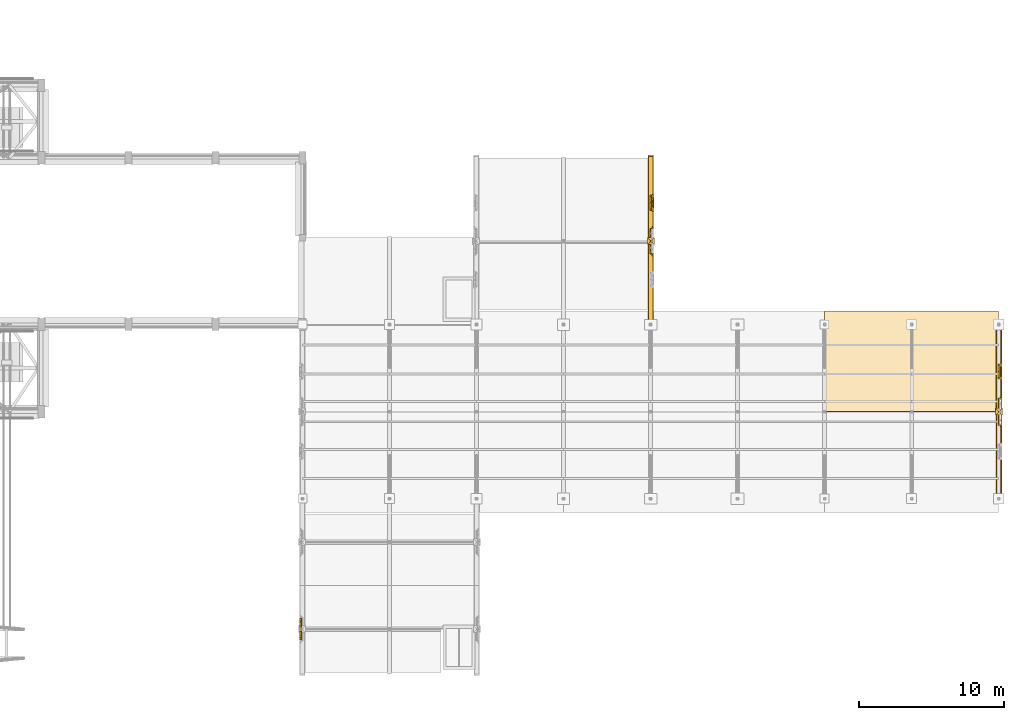
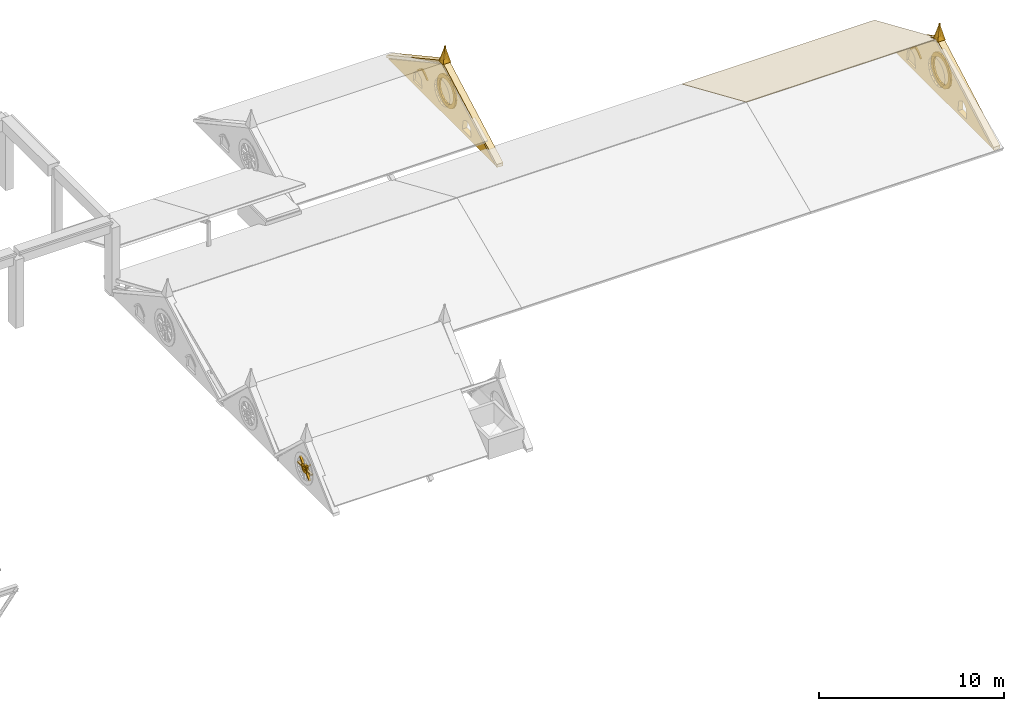
# One storey, part 57 of 59: 27 coverings.
"""IFC4 building model written with IfcOpenShell, lengths in metres."""

from ifc_helpers import new_model, si_unit, direction, frame, origin, place, context, subcontext, project, spatial, polyline, outline, extrude, material, type_object, element, save


model = new_model("IFC4")

# Units and contexts
model_context = context("Model", 3, precision=1e-05, world=origin(), true_north=direction((0.0, 1.0)))
body_context = subcontext(model_context, "Body", "Model", "MODEL_VIEW")
ifc_project = project(units=[si_unit("LENGTHUNIT", "METRE"), si_unit("AREAUNIT", "SQUARE_METRE"), si_unit("VOLUMEUNIT", "CUBIC_METRE"), si_unit("PLANEANGLEUNIT", "RADIAN"), si_unit("MASSUNIT", "GRAM", prefix="KILO")], contexts=[model_context])

# Site, building, storey
site_placement = place(None, origin())
site = spatial("IfcSite", under=ifc_project, at=site_placement, CompositionType="ELEMENT")
building_placement = place(site_placement, origin())
building = spatial("IfcBuilding", under=site, at=building_placement, Name="Cumevento Cable Car Station", CompositionType="ELEMENT")
storey_placement = place(building_placement, frame((0.0, 0.0, 18.0)))
storey = spatial("IfcBuildingStorey", under=building, at=storey_placement, Name="L05", CompositionType="ELEMENT", Elevation=18.0)

# Coverings
ifc_material_1 = material(Name="Standing-Seam Zinc-Titanium Roof Sheet", Category="steel")
covering_type_1 = type_object("IfcCoveringType", Name="Standing-Seam Zinc Roofing CV-RF01", PredefinedType="ROOFING", material=ifc_material_1)
covering_1_placement = place(storey_placement, frame((154.0, 38.9951171875, 3.517578125), z_axis=(0.0, 0.398735528577, 0.917065961777), x_axis=(1.0, 0.0, 0.0)))
element("IfcCovering", 1, at=covering_1_placement, inside=storey, type_object=covering_type_1, Name="Standing-Seam Zinc Roof Covering #18", PredefinedType="ROOFING", context=body_context, shape_type="SweptSolid", body=[
    extrude(outline(polyline([(0.0, 0.0), (12.0, 0.0), (12.0, 7.583788161646252), (0.0, 7.583788161646252), (0.0, 0.0)])), origin(), (0.0, 0.0, -1.0), 0.02587890625),
])
ifc_material_2 = material(Name="Gnaisse Facoidal Stone Ashlar 85 MPa", Category="masonry")
covering_type_2 = type_object("IfcCoveringType", Name="Gnaisse Ashlar Cladding CV-CL01", PredefinedType="CLADDING", material=ifc_material_2)
placement_1 = place(storey_placement, frame((166.0, 45.0, 0.0), z_axis=(0.0, 0.0, 1.0), x_axis=(0.0, -1.0, 0.0)))
element("IfcCovering", 2, at=placement_1, inside=storey, type_object=covering_type_2, Name="Gothic Stone Gable Tympanum depot_garage_E", PredefinedType="CLADDING", context=body_context, shape_type="SweptSolid", body=[
    extrude(outline(polyline([(-0.080078125, -0.06005859375), (12.080078125, -0.06005859375), (6.0, 3.360107421875), (-0.080078125, -0.06005859375)]), holes=[polyline([(6.885498046875, 1.3447265625), (6.818115234375, 1.68359375), (6.626220703125, 1.970947265625), (6.3388671875, 2.1630859375), (6.0, 2.23046875), (5.6611328125, 2.1630859375), (5.373779296875, 1.970947265625), (5.181884765625, 1.68359375), (5.114501953125, 1.3447265625), (5.181884765625, 1.005859375), (5.373779296875, 0.718505859375), (5.6611328125, 0.526611328125), (6.0, 0.459228515625), (6.3388671875, 0.526611328125), (6.626220703125, 0.718505859375), (6.818115234375, 1.005859375), (6.885498046875, 1.3447265625)]), polyline([(2.764892578125, 0.179931640625), (3.715087890625, 0.179931640625), (3.6376953125, 0.84130859375), (3.55029296875, 0.9228515625), (3.453857421875, 0.993896484375), (3.35009765625, 1.052978515625), (3.239990234375, 1.099609375), (3.1298828125, 1.052978515625), (3.026123046875, 0.993896484375), (2.9296875, 0.9228515625), (2.84228515625, 0.84130859375), (2.764892578125, 0.179931640625)]), polyline([(8.284912109375, 0.179931640625), (9.235107421875, 0.179931640625), (9.15771484375, 0.84130859375), (9.0703125, 0.9228515625), (8.97412109375, 0.993896484375), (8.8701171875, 1.052978515625), (8.760009765625, 1.099609375), (8.64990234375, 1.052978515625), (8.5458984375, 0.993896484375), (8.44970703125, 0.9228515625), (8.3623046875, 0.84130859375), (8.284912109375, 0.179931640625)])]), frame((0.0, 0.159912109375, 0.0), z_axis=(0.0, -1.0, 0.0), x_axis=(1.0, 0.0, 0.0)), (0.0, 0.0, 1.0), 0.300048828125),
])
element("IfcCovering", 3, at=placement_1, inside=storey, type_object=covering_type_2, Name="Gothic Gable Recessed Tracery Backing depot_garage_E rose", PredefinedType="CLADDING", context=body_context, shape_type="SweptSolid", body=[
    extrude(outline(polyline([(6.925537109375, 1.3447265625), (6.855224609375, 1.698974609375), (6.654541015625, 1.999267578125), (6.354248046875, 2.199951171875), (6.0, 2.2705078125), (5.645751953125, 2.199951171875), (5.345458984375, 1.999267578125), (5.144775390625, 1.698974609375), (5.074462890625, 1.3447265625), (5.144775390625, 0.990478515625), (5.345458984375, 0.690185546875), (5.645751953125, 0.48974609375), (6.0, 0.419189453125), (6.354248046875, 0.48974609375), (6.654541015625, 0.690185546875), (6.855224609375, 0.990478515625), (6.925537109375, 1.3447265625)])), frame((0.0, 0.050048828125, 0.0), z_axis=(0.0, -1.0, 0.0), x_axis=(1.0, 0.0, 0.0)), (0.0, 0.0, 1.0), 0.074951171875),
])
element("IfcCovering", 4, at=placement_1, inside=storey, type_object=covering_type_2, Name="Gothic Gable Recessed Tracery Backing depot_garage_E lancet_0", PredefinedType="CLADDING", context=body_context, shape_type="SweptSolid", body=[
    extrude(outline(polyline([(2.735107421875, 0.14990234375), (3.7451171875, 0.14990234375), (3.66259765625, 0.847412109375), (3.569580078125, 0.933349609375), (3.467041015625, 1.008056640625), (3.356689453125, 1.070556640625), (3.239990234375, 1.11962890625), (3.123291015625, 1.070556640625), (3.012939453125, 1.008056640625), (2.910400390625, 0.933349609375), (2.8173828125, 0.847412109375), (2.735107421875, 0.14990234375)])), frame((0.0, 0.050048828125, 0.0), z_axis=(0.0, -1.0, 0.0), x_axis=(1.0, 0.0, 0.0)), (0.0, 0.0, 1.0), 0.074951171875),
])
element("IfcCovering", 5, at=placement_1, inside=storey, type_object=covering_type_2, Name="Gothic 16-Sided Stone Rose Window Ring depot_garage_E", PredefinedType="CLADDING", context=body_context, shape_type="SweptSolid", body=[
    extrude(outline(polyline([(7.065673828125, 1.3447265625), (6.984375, 1.752685546875), (6.75341796875, 2.098388671875), (6.40771484375, 2.329345703125), (6.0, 2.410400390625), (5.59228515625, 2.329345703125), (5.24658203125, 2.098388671875), (5.015625, 1.752685546875), (4.934326171875, 1.3447265625), (5.015625, 0.93701171875), (5.24658203125, 0.59130859375), (5.59228515625, 0.3603515625), (6.0, 0.279296875), (6.40771484375, 0.3603515625), (6.75341796875, 0.59130859375), (6.984375, 0.93701171875), (7.065673828125, 1.3447265625)]), holes=[polyline([(6.815673828125, 1.3447265625), (6.75341796875, 1.656982421875), (6.57666015625, 1.921630859375), (6.31201171875, 2.098388671875), (6.0, 2.160400390625), (5.68798828125, 2.098388671875), (5.42333984375, 1.921630859375), (5.24658203125, 1.656982421875), (5.184326171875, 1.3447265625), (5.24658203125, 1.03271484375), (5.42333984375, 0.76806640625), (5.68798828125, 0.59130859375), (6.0, 0.529296875), (6.31201171875, 0.59130859375), (6.57666015625, 0.76806640625), (6.75341796875, 1.03271484375), (6.815673828125, 1.3447265625)])]), frame((0.0, 0.215087890625, 0.0), z_axis=(0.0, -1.0, 0.0), x_axis=(1.0, 0.0, 0.0)), (0.0, 0.0, 1.0), 0.110107421875),
])
element("IfcCovering", 6, at=placement_1, inside=storey, type_object=covering_type_2, Name="Gable Lancet Stone Hood Moulding depot_garage_E #1", PredefinedType="CLADDING", context=body_context, shape_type="SweptSolid", body=[
    extrude(outline(polyline([(2.764892578125, 0.750244140625), (2.84228515625, 0.84130859375), (2.9296875, 0.9228515625), (3.026123046875, 0.993896484375), (3.1298828125, 1.052978515625), (3.239990234375, 1.099609375), (3.35009765625, 1.052978515625), (3.453857421875, 0.993896484375), (3.55029296875, 0.9228515625), (3.6376953125, 0.84130859375), (3.715087890625, 0.750244140625), (3.804931640625, 0.750244140625), (3.718017578125, 0.87158203125), (3.6162109375, 0.980712890625), (3.501220703125, 1.076171875), (3.375244140625, 1.15625), (3.239990234375, 1.219482421875), (3.104736328125, 1.15625), (2.978759765625, 1.076171875), (2.86376953125, 0.980712890625), (2.761962890625, 0.87158203125), (2.675048828125, 0.750244140625), (2.764892578125, 0.750244140625)])), frame((0.0, 0.205078125, 0.0), z_axis=(0.0, -1.0, 0.0), x_axis=(1.0, 0.0, 0.0)), (0.0, 0.0, 1.0), 0.090087890625),
])
element("IfcCovering", 7, at=placement_1, inside=storey, type_object=covering_type_2, Name="Raking Gothic Stone Gable Coping depot_garage_E", PredefinedType="CLADDING", context=body_context, shape_type="SweptSolid", body=[
    extrude(outline(polyline([(-0.199951171875, -0.06005859375), (6.0, 3.360107421875), (12.199951171875, -0.06005859375), (12.199951171875, 0.139892578125), (6.0, 3.60009765625), (-0.199951171875, 0.139892578125), (-0.199951171875, -0.06005859375)])), frame((0.0, 0.219970703125, 0.0), z_axis=(0.0, -1.0, 0.0), x_axis=(1.0, 0.0, 0.0)), (0.0, 0.0, 1.0), 0.39990234375),
])
for number, where, z_axis, x_axis, name in (
    (8, (165.7900390625, 39.239990234375, 3.4599609375), (-0.97486272659, 0.0, 0.222806338116), (0.0, -1.0, 0.0), "Gothic Gable Finial Spire Facet 1 depot_garage_E"),
    (9, (165.7900390625, 38.760009765625, 3.4599609375), (0.0, -0.97486272659, 0.222806338116), (1.0, 0.0, 0.0), "Gothic Gable Finial Spire Facet 2 depot_garage_E"),
    (10, (166.27001953125, 38.760009765625, 3.4599609375), (0.97486272659, 0.0, 0.222806338116), (0.0, 1.0, 0.0), "Gothic Gable Finial Spire Facet 3 depot_garage_E"),
    (11, (166.27001953125, 39.239990234375, 3.4599609375), (0.0, 0.97486272659, 0.222806338116), (-1.0, 0.0, 0.0), "Gothic Gable Finial Spire Facet 4 depot_garage_E"),
):
    element("IfcCovering", number, at=place(storey_placement, frame(where, z_axis=z_axis, x_axis=x_axis)), inside=storey, type_object=covering_type_2, Name=name, PredefinedType="CLADDING", context=body_context, shape_type="SweptSolid", body=[
        extrude(outline(polyline([(0.0, 0.0), (0.47998046875, 0.0), (0.239990234375, 1.0771248089437238), (0.0, 0.0)])), origin(), (0.0, 0.0, -1.0), 0.06494140625),
    ])
placement_2 = place(storey_placement, frame((118.0, 21.0, 0.0), z_axis=(0.0, 0.0, 1.0), x_axis=(0.0, 1.0, 0.0)))
element("IfcCovering", 12, at=placement_2, inside=storey, type_object=covering_type_2, Name="Gothic Rose Central Stone Oculus Hub wing_B_V4b_core_W", PredefinedType="CLADDING", context=body_context, shape_type="SweptSolid", body=[
    extrude(outline(polyline([(3.27880859375, 1.160400390625), (3.241455078125, 1.299560546875), (3.139404296875, 1.401611328125), (3.0, 1.43896484375), (2.860595703125, 1.401611328125), (2.758544921875, 1.299560546875), (2.72119140625, 1.160400390625), (2.758544921875, 1.02099609375), (2.860595703125, 0.9189453125), (3.0, 0.881591796875), (3.139404296875, 0.9189453125), (3.241455078125, 1.02099609375), (3.27880859375, 1.160400390625)]), holes=[polyline([(3.15869140625, 1.160400390625), (3.137451171875, 1.23974609375), (3.079345703125, 1.2978515625), (3.0, 1.319091796875), (2.920654296875, 1.2978515625), (2.862548828125, 1.23974609375), (2.84130859375, 1.160400390625), (2.862548828125, 1.0810546875), (2.920654296875, 1.02294921875), (3.0, 1.001708984375), (3.079345703125, 1.02294921875), (3.137451171875, 1.0810546875), (3.15869140625, 1.160400390625)])]), frame((0.0, 0.18994140625, 0.0), z_axis=(0.0, -1.0, 0.0), x_axis=(1.0, 0.0, 0.0)), (0.0, 0.0, 1.0), 0.139892578125),
])
element("IfcCovering", 13, at=placement_2, inside=storey, type_object=covering_type_2, Name="Gothic Rose Stone Tracery Mullion wing_B_V4b_core_W #1", PredefinedType="CLADDING", context=body_context, shape_type="SweptSolid", body=[
    extrude(outline(polyline([(3.228759765625, 1.205322265625), (3.744140625, 1.205322265625), (3.744140625, 1.115234375), (3.228759765625, 1.115234375), (3.228759765625, 1.205322265625)])), frame((0.0, 0.18505859375, 0.0), z_axis=(0.0, -1.0, 0.0), x_axis=(1.0, 0.0, 0.0)), (0.0, 0.0, 1.0), 0.1298828125),
])
element("IfcCovering", 14, at=placement_2, inside=storey, type_object=covering_type_2, Name="Gothic Rose Stone Tracery Mullion wing_B_V4b_core_W #2", PredefinedType="CLADDING", context=body_context, shape_type="SweptSolid", body=[
    extrude(outline(polyline([(3.1298828125, 1.353759765625), (3.494384765625, 1.71826171875), (3.557861328125, 1.654541015625), (3.193603515625, 1.290283203125), (3.1298828125, 1.353759765625)])), frame((0.0, 0.18505859375, 0.0), z_axis=(0.0, -1.0, 0.0), x_axis=(1.0, 0.0, 0.0)), (0.0, 0.0, 1.0), 0.1298828125),
])
element("IfcCovering", 15, at=placement_2, inside=storey, type_object=covering_type_2, Name="Gothic Rose Stone Tracery Mullion wing_B_V4b_core_W #4", PredefinedType="CLADDING", context=body_context, shape_type="SweptSolid", body=[
    extrude(outline(polyline([(2.806396484375, 1.290283203125), (2.442138671875, 1.654541015625), (2.505615234375, 1.71826171875), (2.8701171875, 1.353759765625), (2.806396484375, 1.290283203125)])), frame((0.0, 0.18505859375, 0.0), z_axis=(0.0, -1.0, 0.0), x_axis=(1.0, 0.0, 0.0)), (0.0, 0.0, 1.0), 0.1298828125),
])
element("IfcCovering", 16, at=placement_2, inside=storey, type_object=covering_type_2, Name="Gothic Rose Stone Tracery Mullion wing_B_V4b_core_W #5", PredefinedType="CLADDING", context=body_context, shape_type="SweptSolid", body=[
    extrude(outline(polyline([(2.771240234375, 1.115234375), (2.255859375, 1.115234375), (2.255859375, 1.205322265625), (2.771240234375, 1.205322265625), (2.771240234375, 1.115234375)])), frame((0.0, 0.18505859375, 0.0), z_axis=(0.0, -1.0, 0.0), x_axis=(1.0, 0.0, 0.0)), (0.0, 0.0, 1.0), 0.1298828125),
])
element("IfcCovering", 17, at=placement_2, inside=storey, type_object=covering_type_2, Name="Gothic Rose Stone Tracery Mullion wing_B_V4b_core_W #6", PredefinedType="CLADDING", context=body_context, shape_type="SweptSolid", body=[
    extrude(outline(polyline([(2.8701171875, 0.966796875), (2.505615234375, 0.602294921875), (2.442138671875, 0.666015625), (2.806396484375, 1.030517578125), (2.8701171875, 0.966796875)])), frame((0.0, 0.18505859375, 0.0), z_axis=(0.0, -1.0, 0.0), x_axis=(1.0, 0.0, 0.0)), (0.0, 0.0, 1.0), 0.1298828125),
])
placement_3 = place(storey_placement, frame((142.0, 56.5, 0.0), z_axis=(0.0, 0.0, 1.0), x_axis=(0.0, -1.0, 0.0)))
element("IfcCovering", 18, at=placement_3, inside=storey, type_object=covering_type_2, Name="Gothic Stone Gable Tympanum wing_B_V5c_E", PredefinedType="CLADDING", context=body_context, shape_type="SweptSolid", body=[
    extrude(outline(polyline([(-0.080078125, -0.06005859375), (11.580078125, -0.06005859375), (5.75, 3.159912109375), (-0.080078125, -0.06005859375)]), holes=[polyline([(6.58154296875, 1.2626953125), (6.518310546875, 1.5810546875), (6.338134765625, 1.850830078125), (6.068359375, 2.031005859375), (5.75, 2.094482421875), (5.431640625, 2.031005859375), (5.161865234375, 1.850830078125), (4.981689453125, 1.5810546875), (4.91845703125, 1.2626953125), (4.981689453125, 0.944580078125), (5.161865234375, 0.6748046875), (5.431640625, 0.494384765625), (5.75, 0.43115234375), (6.068359375, 0.494384765625), (6.338134765625, 0.6748046875), (6.518310546875, 0.944580078125), (6.58154296875, 1.2626953125)]), polyline([(2.6298828125, 0.179931640625), (3.580078125, 0.179931640625), (3.499267578125, 0.768798828125), (3.410400390625, 0.841552734375), (3.314453125, 0.904541015625), (3.212158203125, 0.956787109375), (3.10498046875, 0.997802734375), (2.997802734375, 0.956787109375), (2.8955078125, 0.904541015625), (2.799560546875, 0.841552734375), (2.710693359375, 0.768798828125), (2.6298828125, 0.179931640625)]), polyline([(7.919921875, 0.179931640625), (8.8701171875, 0.179931640625), (8.78955078125, 0.768798828125), (8.70068359375, 0.841552734375), (8.6044921875, 0.904541015625), (8.502197265625, 0.956787109375), (8.39501953125, 0.997802734375), (8.287841796875, 0.956787109375), (8.185546875, 0.904541015625), (8.08935546875, 0.841552734375), (8.00048828125, 0.768798828125), (7.919921875, 0.179931640625)])]), frame((0.0, 0.159912109375, 0.0), z_axis=(0.0, -1.0, 0.0), x_axis=(1.0, 0.0, 0.0)), (0.0, 0.0, 1.0), 0.300048828125),
])
element("IfcCovering", 19, at=placement_3, inside=storey, type_object=covering_type_2, Name="Gothic Gable Recessed Tracery Backing wing_B_V5c_E rose", PredefinedType="CLADDING", context=body_context, shape_type="SweptSolid", body=[
    extrude(outline(polyline([(6.62158203125, 1.2626953125), (6.55517578125, 1.596435546875), (6.3662109375, 1.879150390625), (6.08349609375, 2.068115234375), (5.75, 2.134521484375), (5.41650390625, 2.068115234375), (5.1337890625, 1.879150390625), (4.94482421875, 1.596435546875), (4.87841796875, 1.2626953125), (4.94482421875, 0.92919921875), (5.1337890625, 0.646484375), (5.41650390625, 0.45751953125), (5.75, 0.39111328125), (6.08349609375, 0.45751953125), (6.3662109375, 0.646484375), (6.55517578125, 0.92919921875), (6.62158203125, 1.2626953125)])), frame((0.0, 0.050048828125, 0.0), z_axis=(0.0, -1.0, 0.0), x_axis=(1.0, 0.0, 0.0)), (0.0, 0.0, 1.0), 0.074951171875),
])
element("IfcCovering", 20, at=placement_3, inside=storey, type_object=covering_type_2, Name="Gothic Gable Recessed Tracery Backing wing_B_V5c_E lancet_0", PredefinedType="CLADDING", context=body_context, shape_type="SweptSolid", body=[
    extrude(outline(polyline([(2.60009765625, 0.14990234375), (3.610107421875, 0.14990234375), (3.524169921875, 0.77490234375), (3.4296875, 0.85205078125), (3.32763671875, 0.918701171875), (3.218994140625, 0.974365234375), (3.10498046875, 1.017822265625), (2.990966796875, 0.974365234375), (2.88232421875, 0.918701171875), (2.7802734375, 0.85205078125), (2.685791015625, 0.77490234375), (2.60009765625, 0.14990234375)])), frame((0.0, 0.050048828125, 0.0), z_axis=(0.0, -1.0, 0.0), x_axis=(1.0, 0.0, 0.0)), (0.0, 0.0, 1.0), 0.074951171875),
])
element("IfcCovering", 21, at=placement_3, inside=storey, type_object=covering_type_2, Name="Gothic 16-Sided Stone Rose Window Ring wing_B_V5c_E", PredefinedType="CLADDING", context=body_context, shape_type="SweptSolid", body=[
    extrude(outline(polyline([(6.76171875, 1.2626953125), (6.6845703125, 1.64990234375), (6.46533203125, 1.97802734375), (6.13720703125, 2.197509765625), (5.75, 2.2744140625), (5.36279296875, 2.197509765625), (5.03466796875, 1.97802734375), (4.8154296875, 1.64990234375), (4.73828125, 1.2626953125), (4.8154296875, 0.875732421875), (5.03466796875, 0.547607421875), (5.36279296875, 0.328125), (5.75, 0.251220703125), (6.13720703125, 0.328125), (6.46533203125, 0.547607421875), (6.6845703125, 0.875732421875), (6.76171875, 1.2626953125)]), holes=[polyline([(6.51171875, 1.2626953125), (6.45361328125, 1.55419921875), (6.28857421875, 1.80126953125), (6.04150390625, 1.96630859375), (5.75, 2.0244140625), (5.45849609375, 1.96630859375), (5.21142578125, 1.80126953125), (5.04638671875, 1.55419921875), (4.98828125, 1.2626953125), (5.04638671875, 0.971435546875), (5.21142578125, 0.724365234375), (5.45849609375, 0.55908203125), (5.75, 0.501220703125), (6.04150390625, 0.55908203125), (6.28857421875, 0.724365234375), (6.45361328125, 0.971435546875), (6.51171875, 1.2626953125)])]), frame((0.0, 0.215087890625, 0.0), z_axis=(0.0, -1.0, 0.0), x_axis=(1.0, 0.0, 0.0)), (0.0, 0.0, 1.0), 0.110107421875),
])
element("IfcCovering", 22, at=placement_3, inside=storey, type_object=covering_type_2, Name="Gable Lancet Stone Hood Moulding wing_B_V5c_E #1", PredefinedType="CLADDING", context=body_context, shape_type="SweptSolid", body=[
    extrude(outline(polyline([(2.6298828125, 0.68701171875), (2.710693359375, 0.768798828125), (2.799560546875, 0.841552734375), (2.8955078125, 0.904541015625), (2.997802734375, 0.956787109375), (3.10498046875, 0.997802734375), (3.212158203125, 0.956787109375), (3.314453125, 0.904541015625), (3.410400390625, 0.841552734375), (3.499267578125, 0.768798828125), (3.580078125, 0.68701171875), (3.669921875, 0.68701171875), (3.579345703125, 0.79931640625), (3.47607421875, 0.899658203125), (3.361328125, 0.987060546875), (3.237060546875, 1.060302734375), (3.10498046875, 1.117919921875), (2.972900390625, 1.060302734375), (2.8486328125, 0.987060546875), (2.73388671875, 0.899658203125), (2.630615234375, 0.79931640625), (2.5400390625, 0.68701171875), (2.6298828125, 0.68701171875)])), frame((0.0, 0.205078125, 0.0), z_axis=(0.0, -1.0, 0.0), x_axis=(1.0, 0.0, 0.0)), (0.0, 0.0, 1.0), 0.090087890625),
])
element("IfcCovering", 23, at=placement_3, inside=storey, type_object=covering_type_2, Name="Raking Gothic Stone Gable Coping wing_B_V5c_E", PredefinedType="CLADDING", context=body_context, shape_type="SweptSolid", body=[
    extrude(outline(polyline([(-0.199951171875, -0.06005859375), (5.75, 3.159912109375), (11.699951171875, -0.06005859375), (11.699951171875, 0.139892578125), (5.75, 3.39990234375), (-0.199951171875, 0.139892578125), (-0.199951171875, -0.06005859375)])), frame((0.0, 0.219970703125, 0.0), z_axis=(0.0, -1.0, 0.0), x_axis=(1.0, 0.0, 0.0)), (0.0, 0.0, 1.0), 0.39990234375),
])
for number, where, z_axis, x_axis, name in (
    (24, (141.7900390625, 50.989990234375, 3.260009765625), (-0.97486272659, 0.0, 0.222806338116), (0.0, -1.0, 0.0), "Gothic Gable Finial Spire Facet 1 wing_B_V5c_E"),
    (25, (141.7900390625, 50.510009765625, 3.260009765625), (0.0, -0.97486272659, 0.222806338116), (1.0, 0.0, 0.0), "Gothic Gable Finial Spire Facet 2 wing_B_V5c_E"),
    (26, (142.27001953125, 50.510009765625, 3.260009765625), (0.97486272659, 0.0, 0.222806338116), (0.0, 1.0, 0.0), "Gothic Gable Finial Spire Facet 3 wing_B_V5c_E"),
    (27, (142.27001953125, 50.989990234375, 3.260009765625), (0.0, 0.97486272659, 0.222806338116), (-1.0, 0.0, 0.0), "Gothic Gable Finial Spire Facet 4 wing_B_V5c_E"),
):
    element("IfcCovering", number, at=place(storey_placement, frame(where, z_axis=z_axis, x_axis=x_axis)), inside=storey, type_object=covering_type_2, Name=name, PredefinedType="CLADDING", context=body_context, shape_type="SweptSolid", body=[
        extrude(outline(polyline([(0.0, 0.0), (0.47998046875, 0.0), (0.239990234375, 1.0771248089437238), (0.0, 0.0)])), origin(), (0.0, 0.0, -1.0), 0.06494140625),
    ])

save(model, "model.ifc")
